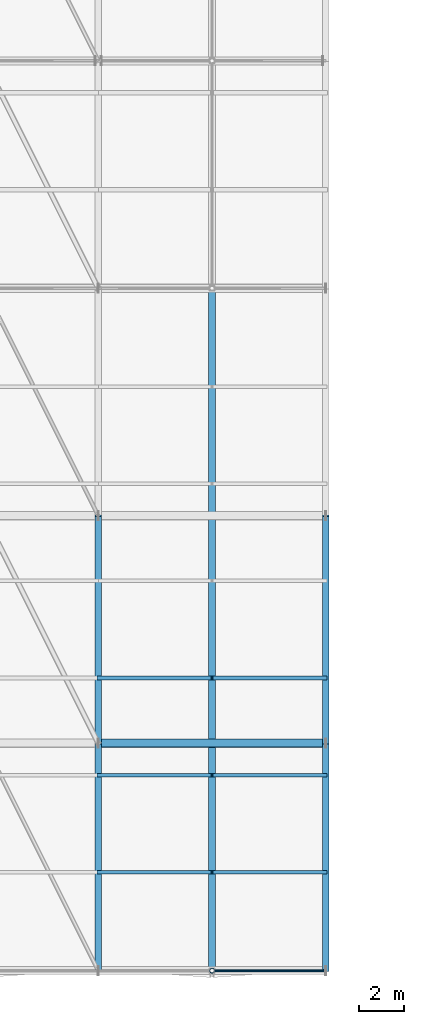
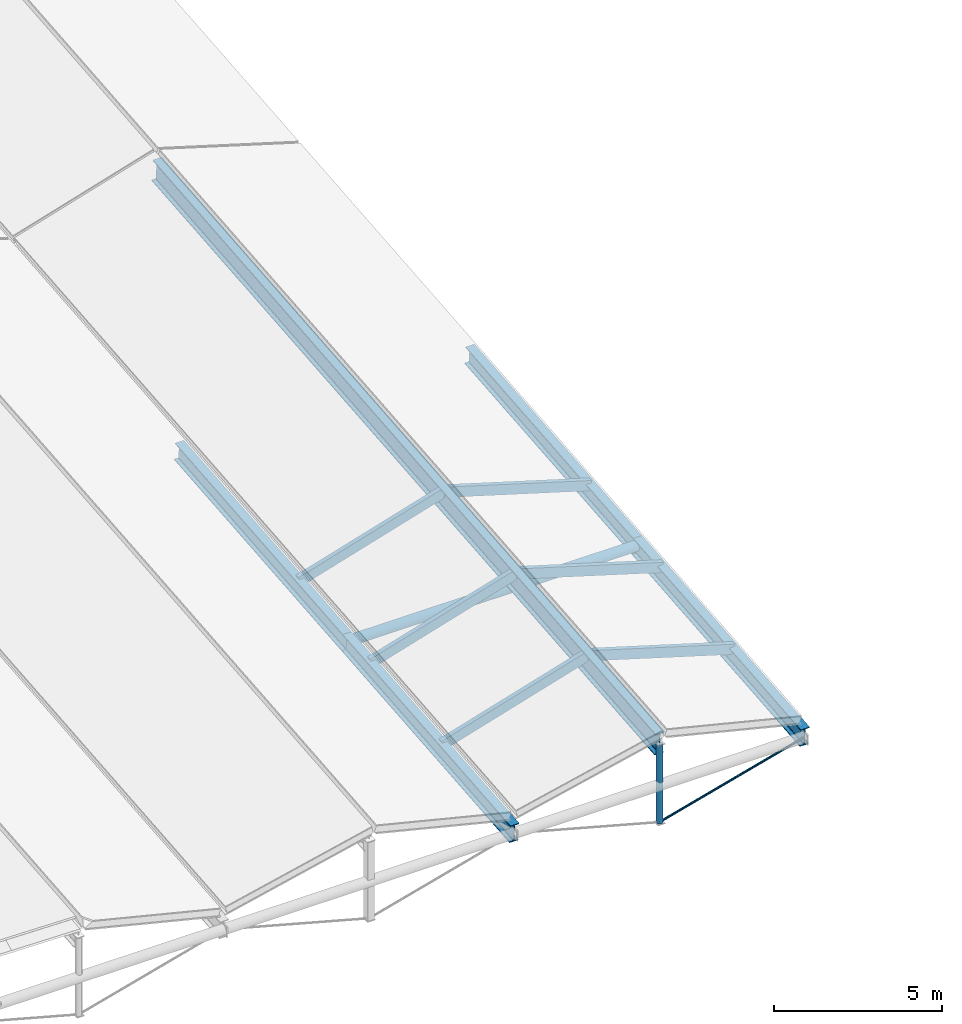
# One storey, part 20 of 90: 8 members, 6 beams.
"""IFC4 building model written with IfcOpenShell, lengths in metres."""

from ifc_helpers import new_model, si_unit, direction, frame, origin, origin_2d, place, context, subcontext, project, spatial, rectangle, circle, hollow_circle, i_section, extrude, material, material_profile, profile_set, type_object, element, save


model = new_model("IFC4")

# Units and contexts
model_context = context("Model", 3, precision=1e-05, world=origin(), true_north=direction((0.0, 1.0)))
body_context = subcontext(model_context, "Body", "Model", "MODEL_VIEW")
ifc_project = project(units=[si_unit("LENGTHUNIT", "METRE"), si_unit("AREAUNIT", "SQUARE_METRE"), si_unit("VOLUMEUNIT", "CUBIC_METRE"), si_unit("PLANEANGLEUNIT", "RADIAN"), si_unit("MASSUNIT", "GRAM", prefix="KILO"), si_unit("THERMODYNAMICTEMPERATUREUNIT", "KELVIN"), si_unit("POWERUNIT", "WATT")], contexts=[model_context])

# Site, building, storey
site_placement = place(None, origin())
site = spatial("IfcSite", under=ifc_project, at=site_placement, CompositionType="ELEMENT")
building_placement = place(site_placement, origin())
building = spatial("IfcBuilding", under=site, at=building_placement, Name="Korenveer Ferry Terminal", CompositionType="ELEMENT")
storey_placement = place(building_placement, frame((0.0, 0.0, 22.199951171875)))
storey = spatial("IfcBuildingStorey", under=building, at=storey_placement, Name="RF", CompositionType="ELEMENT", Elevation=22.199951171875)

# Beams
ifc_material_1 = material(Name="Steel S355", Category="steel")
ifc_material_profile_1 = material_profile(ifc_material_1, i_section(OverallWidth=0.300048828125, OverallDepth=0.64990234375, WebThickness=0.01611328125, FlangeThickness=0.031005859375, FilletRadius=0.027099609375, at=origin_2d()), Name="HEB 650")
ifc_profile_set_1 = profile_set([ifc_material_profile_1], Name="Steel S355")
beam_type_1 = type_object("IfcBeamType", Name="STR-BM-HEB650", PredefinedType="BEAM", material=ifc_profile_set_1)
for number, where, z_axis, x_axis, name in (
    (1, (113.0, 20.0, -11.401611328125), (0.0, 0.995903364261, 0.090423940715), (-1.0, 0.0, 0.0), "Folded roof valley girder 48"),
    (2, (113.0, 30.0, -10.49365234375), (0.0, 0.995903364261, 0.090423940715), (-1.0, 0.0, 0.0), "Folded roof valley girder 49"),
    (3, (123.0, 20.0, -11.401611328125), (0.0, 0.995903364261, 0.090423940715), (-1.0, 0.0, 0.0), "Folded roof valley girder 53"),
    (4, (123.0, 30.0, -10.49365234375), (0.0, 0.995903364261, 0.090423940715), (-1.0, 0.0, 0.0), "Folded roof valley girder 54"),
):
    element("IfcBeam", number, at=place(storey_placement, frame(where, z_axis=z_axis, x_axis=x_axis)), inside=storey, type_object=beam_type_1, Name=name, PredefinedType="BEAM", context=body_context, shape_type="SweptSolid", body=[
        extrude(i_section(OverallWidth=0.300048828125, OverallDepth=0.64990234375, WebThickness=0.01611328125, FlangeThickness=0.031005859375, FilletRadius=0.027099609375, at=origin_2d()), origin(), (0.0, 0.0, 1.0), 10.041015625),
    ])
ifc_material_profile_2 = material_profile(ifc_material_1, i_section(OverallWidth=0.300048828125, OverallDepth=0.800048828125, WebThickness=0.017578125, FlangeThickness=0.032958984375, FilletRadius=0.030029296875, at=origin_2d()), Name="HEB 800")
ifc_profile_set_2 = profile_set([ifc_material_profile_2], Name="Steel S355")
beam_type_2 = type_object("IfcBeamType", Name="STR-BM-HEB800", PredefinedType="BEAM", material=ifc_profile_set_2)
beam_1_placement = place(storey_placement, frame((118.0, 20.0, -9.891845703125), z_axis=(0.0, 0.995903364261, 0.090423940715), x_axis=(-1.0, 0.0, 0.0)))
element("IfcBeam", 5, at=beam_1_placement, inside=storey, type_object=beam_type_2, Name="Folded roof ridge girder 13", PredefinedType="BEAM", context=body_context, shape_type="SweptSolid", body=[
    extrude(i_section(OverallWidth=0.300048828125, OverallDepth=0.800048828125, WebThickness=0.017578125, FlangeThickness=0.032958984375, FilletRadius=0.030029296875, at=origin_2d()), origin(), (0.0, 0.0, 1.0), 30.123291015625),
])

# Members
ifc_material_2 = material(Name="High-strength steel S460", Category="steel")
ifc_material_profile_3 = material_profile(ifc_material_2, circle(Radius=0.0380859375, at=origin_2d()), Name="ROD D76")
ifc_profile_set_3 = profile_set([ifc_material_profile_3], Name="High-strength steel S460")
member_type_1 = type_object("IfcMemberType", Name="STR-CBL-D76", PredefinedType="USERDEFINED", material=ifc_profile_set_3)
member_1_placement = place(storey_placement, frame((123.0, 20.0, -11.401611328125), z_axis=(-0.965424337217, 0.0, -0.260683426993), x_axis=(0.0, -1.0, 0.0)))
element("IfcMember", 6, at=member_1_placement, inside=storey, type_object=member_type_1, Name="Roof tension tie cable 14", ObjectType="CABLE", PredefinedType="USERDEFINED", context=body_context, shape_type="SweptSolid", body=[
    extrude(circle(Radius=0.0380859375, at=origin_2d()), origin(), (0.0, 0.0, 1.0), 5.178955078125),
])
ifc_material_3 = material(Name="Glulam GL28h", Category="wood")
ifc_material_profile_4 = material_profile(ifc_material_3, rectangle(XDim=0.159912109375, YDim=0.360107421875, at=origin_2d()), Name="GL 160x360")
ifc_profile_set_4 = profile_set([ifc_material_profile_4], Name="Glulam GL28h")
member_type_2 = type_object("IfcMemberType", Name="STR-PUR-GL160", PredefinedType="PURLIN", material=ifc_profile_set_4)
for number, where, z_axis, x_axis, name in (
    (7, (113.0, 24.321533203125, -10.787841796875), (0.957323074362, 0.0, 0.289019949647), (0.0, 1.0, 0.0), "Folded roof glulam purlin 217"),
    (8, (113.0, 28.5927734375, -10.400146484375), (0.957310140112, 0.0, 0.289062788401), (0.0, 1.0, 0.0), "Folded roof glulam purlin 218"),
    (9, (113.0, 32.8642578125, -10.01220703125), (0.957310140112, 0.0, 0.289062788401), (0.0, 1.0, 0.0), "Folded roof glulam purlin 219"),
    (10, (118.0, 24.321533203125, -9.2783203125), (0.957323074362, 0.0, -0.289019949647), (0.0, 1.0, 0.0), "Folded roof glulam purlin 223"),
    (11, (118.0, 28.5927734375, -8.890380859375), (0.957310140112, 0.0, -0.289062788401), (0.0, 1.0, 0.0), "Folded roof glulam purlin 224"),
    (12, (118.0, 32.8642578125, -8.50244140625), (0.957310140112, 0.0, -0.289062788401), (0.0, 1.0, 0.0), "Folded roof glulam purlin 225"),
):
    element("IfcMember", number, at=place(storey_placement, frame(where, z_axis=z_axis, x_axis=x_axis)), inside=storey, type_object=member_type_2, Name=name, PredefinedType="PURLIN", context=body_context, shape_type="SweptSolid", body=[
        extrude(rectangle(XDim=0.159912109375, YDim=0.360107421875, at=origin_2d()), origin(), (0.0, 0.0, 1.0), 5.222900390625),
    ])

# Beam
ifc_material_profile_5 = material_profile(ifc_material_1, hollow_circle(Radius=0.177734375, WallThickness=0.01611328125, at=origin_2d()), Name="CHS 355.6x16")
ifc_profile_set_5 = profile_set([ifc_material_profile_5], Name="Steel S355")
beam_type_3 = type_object("IfcBeamType", Name="STR-RFG-CHS355", PredefinedType="USERDEFINED", material=ifc_profile_set_5)
beam_2_placement = place(storey_placement, frame((113.02001953125, 30.0, -10.49365234375), z_axis=(1.0, 0.0, 0.0), x_axis=(0.0, 1.0, 0.0)))
element("IfcBeam", 13, at=beam_2_placement, inside=storey, type_object=beam_type_3, Name="Roof transverse tie girder 88", ObjectType="ROOF GIRDER", PredefinedType="USERDEFINED", context=body_context, shape_type="SweptSolid", body=[
    extrude(hollow_circle(Radius=0.177734375, WallThickness=0.01611328125, at=origin_2d()), origin(), (0.0, 0.0, 1.0), 9.9599609375),
])

# Member
ifc_material_profile_6 = material_profile(ifc_material_1, hollow_circle(Radius=0.109619140625, WallThickness=0.012451171875, at=origin_2d()), Name="CHS 219.1x12.5")
ifc_profile_set_6 = profile_set([ifc_material_profile_6], Name="Steel S355")
member_type_3 = type_object("IfcMemberType", Name="STR-STT-CHS219", PredefinedType="STRUT", material=ifc_profile_set_6)
member_2_placement = place(storey_placement, frame((118.0, 20.0, -12.751708984375), z_axis=(0.0, 0.0, 1.0), x_axis=(1.0, 0.0, 0.0)))
element("IfcMember", 14, at=member_2_placement, inside=storey, type_object=member_type_3, Name="Roof king-post strut STTKP-Y20-B6", PredefinedType="STRUT", context=body_context, shape_type="SweptSolid", body=[
    extrude(hollow_circle(Radius=0.109619140625, WallThickness=0.012451171875, at=origin_2d()), origin(), (0.0, 0.0, 1.0), 2.85986328125),
])

save(model, "model.ifc")
